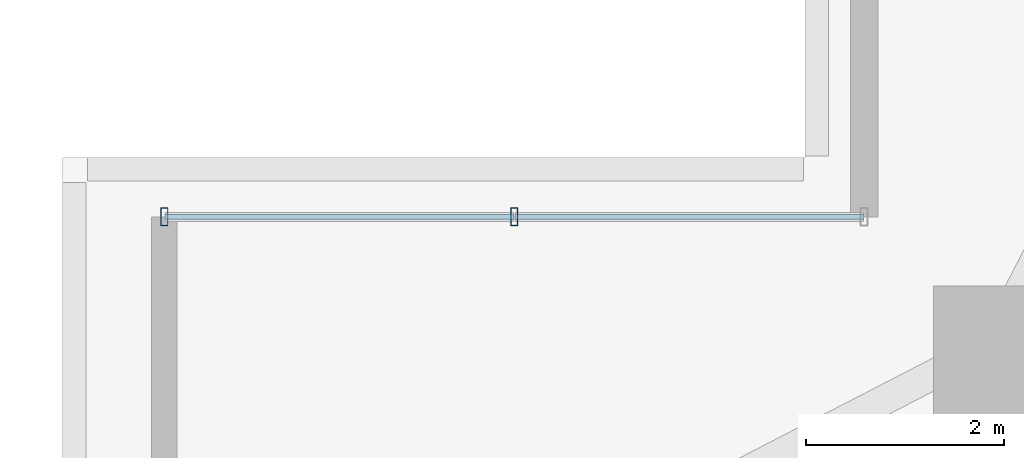
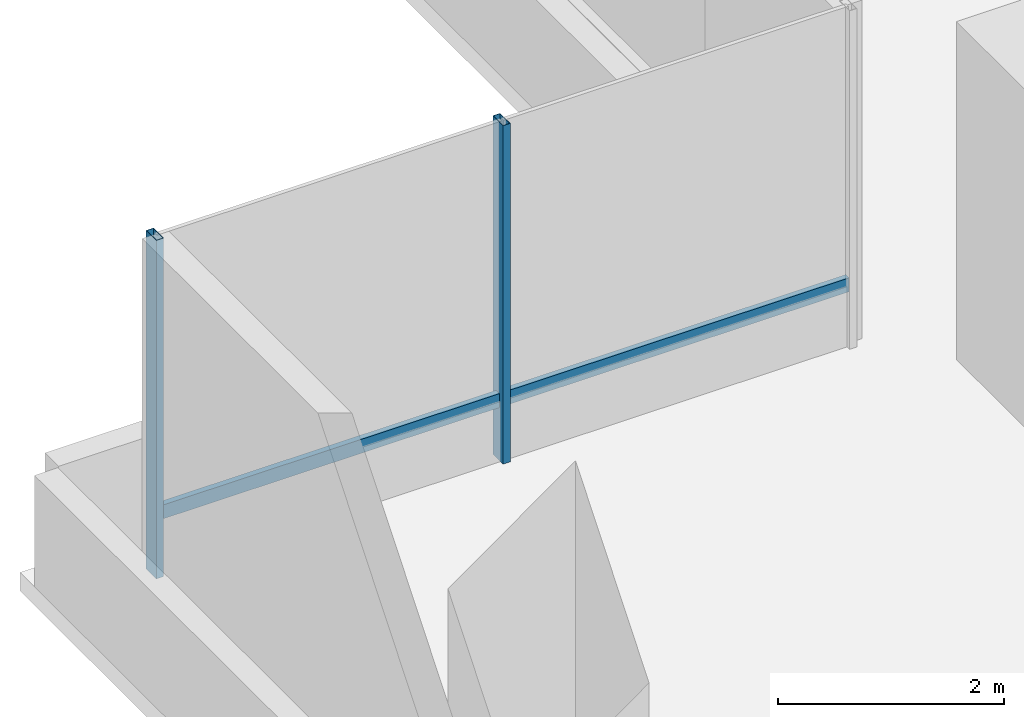
# One storey, part 19 of 34: 4 members, 1 element without a shape of its own.
"""IFC4 building model written with IfcOpenShell, lengths in metres."""

from ifc_helpers import new_model, si_unit, direction, frame, origin, origin_2d, place, context, subcontext, project, spatial, hollow_rectangle, extrude, material, layer, layer_set, material_profile, profile_set, type_object, element, aggregate, save


model = new_model("IFC4")

# Units and contexts
model_context = context("Model", 3, precision=1e-05, world=origin(), true_north=direction((0.0, 1.0)))
body_context = subcontext(model_context, "Body", "Model", "MODEL_VIEW")
ifc_project = project(units=[si_unit("LENGTHUNIT", "METRE"), si_unit("AREAUNIT", "SQUARE_METRE"), si_unit("VOLUMEUNIT", "CUBIC_METRE"), si_unit("PLANEANGLEUNIT", "RADIAN"), si_unit("MASSUNIT", "GRAM", prefix="KILO")], contexts=[model_context])

# Site, building, storey
site_placement = place(None, origin())
site = spatial("IfcSite", under=ifc_project, at=site_placement, CompositionType="ELEMENT")
building_placement = place(site_placement, origin())
building = spatial("IfcBuilding", under=site, at=building_placement, Name="Belovzor Exchange Tower", CompositionType="ELEMENT")
storey_placement = place(building_placement, frame((0.0, 0.0, 113.39990234375)))
storey = spatial("IfcBuildingStorey", under=building, at=storey_placement, Name="L27", CompositionType="ELEMENT", Elevation=113.39990234375)

# Curtain wall, members
ifc_material_1 = material(Name="Anodised Aluminium Framing", Category="aluminium")
ifc_layer = layer(ifc_material_1, 0.195068359375)
ifc_layer_set = layer_set([ifc_layer], Name="Anodised Aluminium Framing")
curtain_wall_type = type_object("IfcCurtainWallType", Name="Notched Re-Entrant Corner Unitised Curtain Wall", PredefinedType="NOTDEFINED", material=ifc_layer_set)
curtain_wall_placement = place(storey_placement, origin())
curtain_wall = element("IfcCurtainWall", 1, at=curtain_wall_placement, inside=storey, type_object=curtain_wall_type, Name="CW5 Notched Re-Entrant Corner Unitised Curtain Wall L27", PredefinedType="NOTDEFINED")
ifc_material_2 = material(Name="Steel S355", Category="steel")
ifc_material_profile_1 = material_profile(ifc_material_2, hollow_rectangle(XDim=0.074951171875, YDim=0.179931640625, WallThickness=0.0048828125, at=origin_2d()))
ifc_profile_set_1 = profile_set([ifc_material_profile_1], Name="Steel S355")
member_type_1 = type_object("IfcMemberType", Name="Thermally Broken Curtain Wall Mullion 180x75", PredefinedType="MULLION", material=ifc_profile_set_1)
member_1_placement = place(storey_placement, frame((2.830078125, 47.699951171875, 0.0), z_axis=(0.0, 0.0, 1.0), x_axis=(1.0, 0.0, 0.0)))
member_1 = element("IfcMember", 2, at=member_1_placement, type_object=member_type_1, Name="CW-M180 Curtain Wall Mullion 1", PredefinedType="MULLION", context=body_context, shape_type="SweptSolid", body=[
    extrude(hollow_rectangle(XDim=0.074951171875, YDim=0.179931640625, WallThickness=0.0048828125, at=origin_2d()), origin(), (0.0, 0.0, 1.0), 3.650146484375),
])
member_2_placement = place(storey_placement, frame((6.364990234375, 47.699951171875, 0.0), z_axis=(0.0, 0.0, 1.0), x_axis=(1.0, 0.0, 0.0)))
member_2 = element("IfcMember", 3, at=member_2_placement, type_object=member_type_1, Name="CW-M180 Curtain Wall Mullion 2", PredefinedType="MULLION", context=body_context, shape_type="SweptSolid", body=[
    extrude(hollow_rectangle(XDim=0.074951171875, YDim=0.179931640625, WallThickness=0.0048828125, at=origin_2d()), origin(), (0.0, 0.0, 1.0), 3.650146484375),
])
ifc_material_3 = material(Name="Steel S355", Category="steel")
ifc_material_profile_2 = material_profile(ifc_material_3, hollow_rectangle(XDim=0.06005859375, YDim=0.14990234375, WallThickness=0.00390625, at=origin_2d()))
ifc_profile_set_2 = profile_set([ifc_material_profile_2], Name="Steel S355")
member_type_2 = type_object("IfcMemberType", Name="Thermally Broken Curtain Wall Transom 150x60", PredefinedType="USERDEFINED", material=ifc_profile_set_2)
member_3_placement = place(storey_placement, frame((2.837890625, 47.699951171875, 0.650146484375), z_axis=(1.0, 0.0, 0.0), x_axis=(0.0, 1.0, 0.0)))
member_3 = element("IfcMember", 4, at=member_3_placement, type_object=member_type_2, Name="CW-T150 Curtain Wall Transom 1", ObjectType="TRANSOM", PredefinedType="USERDEFINED", context=body_context, shape_type="SweptSolid", body=[
    extrude(hollow_rectangle(XDim=0.06005859375, YDim=0.14990234375, WallThickness=0.00390625, at=origin_2d()), origin(), (0.0, 0.0, 1.0), 3.51904296875),
])
member_4_placement = place(storey_placement, frame((6.373046875, 47.699951171875, 0.650146484375), z_axis=(1.0, 0.0, 0.0), x_axis=(0.0, 1.0, 0.0)))
member_4 = element("IfcMember", 5, at=member_4_placement, type_object=member_type_2, Name="CW-T150 Curtain Wall Transom 2", ObjectType="TRANSOM", PredefinedType="USERDEFINED", context=body_context, shape_type="SweptSolid", body=[
    extrude(hollow_rectangle(XDim=0.06005859375, YDim=0.14990234375, WallThickness=0.00390625, at=origin_2d()), origin(), (0.0, 0.0, 1.0), 3.51904296875),
])
aggregate(curtain_wall, [member_1, member_2, member_3, member_4])

save(model, "model.ifc")
